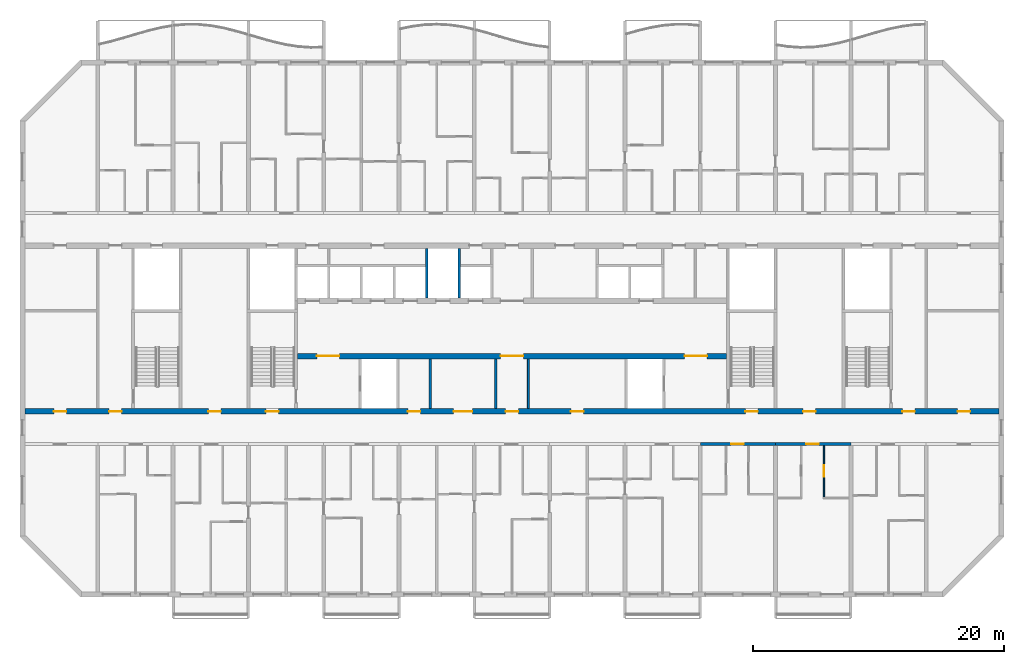
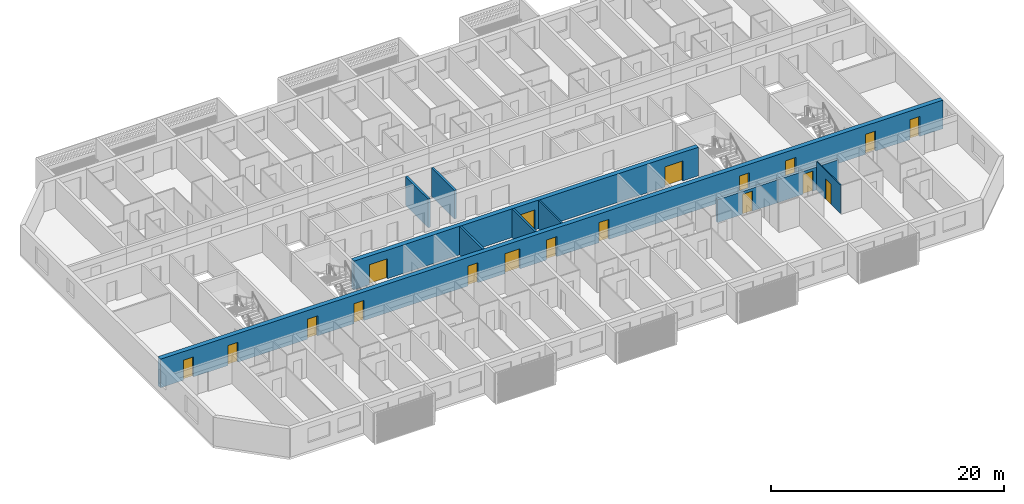
# One storey, part 6 of 32: 18 doors, 10 walls, 18 openings.
"""IFC4 building model written with IfcOpenShell, lengths in metres."""

import ifcopenshell
import ifcopenshell.guid

model = None  # the IFC model being written
_history = None  # IfcOwnerHistory: only IFC2X3 demands one
_inside = {}  # id of a spatial element -> (the spatial element, [elements in it])
_under = {}  # id of a project, library or spatial element -> (it, [spatial elements below it])
_declared = {}  # id of a project -> (the project, [libraries it declares])
_typed = {}  # id of a type object -> (the type object, [elements of that type])
_made_of = {}  # id of a material, layer set ... -> (it, [elements and type objects made of it])


def new_model(schema):
    """Start an empty IFC model of exactly this schema.

    Asked for "IFC4X3", IfcOpenShell would pick the latest addendum, in which some entities
    have other attributes; the version numbers below select the first issue.
    IFC2X3 requires an IfcOwnerHistory on every rooted entity: one is made here for all.
    """
    global model, _history
    if schema == "IFC4X3":
        model = ifcopenshell.file(schema_version=(4, 3, 0, 0))
    else:
        model = ifcopenshell.file(schema=schema)
    _inside.clear()
    _under.clear()
    _declared.clear()
    _typed.clear()
    _made_of.clear()
    _history = None
    if model.schema == "IFC2X3":
        org = make("IfcOrganization", Name="unknown")
        user = make(
            "IfcPersonAndOrganization",
            ThePerson=make("IfcPerson", FamilyName="unknown"),
            TheOrganization=org,
        )
        app = make(
            "IfcApplication",
            ApplicationDeveloper=org,
            Version="unknown",
            ApplicationFullName="unknown",
            ApplicationIdentifier="unknown",
        )
        _history = make(
            "IfcOwnerHistory",
            OwningUser=user,
            OwningApplication=app,
            ChangeAction="ADDED",
            CreationDate=0,
        )
    return model


def make(cls, **values):
    """One entity of the class cls with the attributes given. An attribute that is None is left unset."""
    return model.create_entity(
        cls, **{name: value for name, value in values.items() if value is not None}
    )


def rooted(cls, **values):
    """An entity with a GlobalId (a new one), such as an element, a storey or a relation."""
    return make(cls, GlobalId=ifcopenshell.guid.new(), OwnerHistory=_history, **values)


def si_unit(unit_type, name, prefix=None):
    """IfcSIUnit, for example si_unit("LENGTHUNIT", "METRE", prefix="MILLI")."""
    return make("IfcSIUnit", UnitType=unit_type, Prefix=prefix, Name=name)


def assignment(units):
    """IfcUnitAssignment: the units of a project."""
    return None if units is None else make("IfcUnitAssignment", Units=units)


def point(xyz):
    """IfcCartesianPoint."""
    return None if xyz is None else make("IfcCartesianPoint", Coordinates=xyz)


def direction(xyz):
    """IfcDirection."""
    return None if xyz is None else make("IfcDirection", DirectionRatios=xyz)


def frame(location, z_axis=None, x_axis=None):
    """IfcAxis2Placement3D, a coordinate frame: its origin and axes. An axis left out is left unset."""
    return make(
        "IfcAxis2Placement3D",
        Location=point(location),
        Axis=direction(z_axis),
        RefDirection=direction(x_axis),
    )


def frame_2d(location, x_axis=None):
    """IfcAxis2Placement2D, a coordinate frame in the plane: its origin and x axis."""
    return make(
        "IfcAxis2Placement2D", Location=point(location), RefDirection=direction(x_axis)
    )


def origin():
    """The frame at (0, 0, 0) with its axes left unset."""
    return frame((0.0, 0.0, 0.0))


def place(relative_to, where):
    """IfcLocalPlacement: puts the frame where relative to a parent placement (None: the world)."""
    return make(
        "IfcLocalPlacement", PlacementRelTo=relative_to, RelativePlacement=where
    )


def context(
    kind, dimensions, precision=None, world=None, true_north=None, identifier=None
):
    """IfcGeometricRepresentationContext, for example the 3D "Model" context."""
    return make(
        "IfcGeometricRepresentationContext",
        ContextIdentifier=identifier,
        ContextType=kind,
        CoordinateSpaceDimension=dimensions,
        Precision=precision,
        WorldCoordinateSystem=world,
        TrueNorth=true_north,
    )


def subcontext(parent, identifier, kind, view, scale=None):
    """IfcGeometricRepresentationSubContext, for example "Body" below "Model"."""
    return make(
        "IfcGeometricRepresentationSubContext",
        ContextIdentifier=identifier,
        ContextType=kind,
        ParentContext=parent,
        TargetScale=scale,
        TargetView=view,
    )


def project(units=None, contexts=None):
    """IfcProject with its units and contexts."""
    return rooted(
        "IfcProject",
        Name="project",
        RepresentationContexts=contexts,
        UnitsInContext=assignment(units),
    )


def spatial(cls, under=None, at=None, **own):
    """A site, building, storey or space (cls), placed at a placement, below another one or the project."""
    s = rooted(cls, ObjectPlacement=at, **own)
    if under is not None:
        _under.setdefault(under.id(), (under, []))[1].append(s)
    return s


def profile(cls, at=None, kind="AREA", **sizes):
    """A parametric profile (cls). Its sizes go by their IFC names, for example OverallWidth=200.0."""
    return make(cls, ProfileType=kind, Position=at, **sizes)


def rectangle(**sizes):
    """IfcRectangleProfileDef."""
    return profile("IfcRectangleProfileDef", **sizes)


def extrude(swept, where, along, depth):
    """IfcExtrudedAreaSolid: the profile swept, set in the frame where, extruded along a direction by depth."""
    return make(
        "IfcExtrudedAreaSolid",
        SweptArea=swept,
        Position=where,
        ExtrudedDirection=direction(along),
        Depth=depth,
    )


def shape(context_of_items, identifier, shape_type, items):
    """IfcShapeRepresentation: the items that make up one representation, for example the "Body"."""
    return make(
        "IfcShapeRepresentation",
        ContextOfItems=context_of_items,
        RepresentationIdentifier=identifier,
        RepresentationType=shape_type,
        Items=items,
    )


def material(Name=None, Category=None):
    """IfcMaterial."""
    return make("IfcMaterial", Name=Name, Category=Category)


def layer(
    of_material, thickness, ventilated=None, Name=None, Category=None, Priority=None
):
    """IfcMaterialLayer: one layer of a wall or slab, of a material (None: an air gap)."""
    return make(
        "IfcMaterialLayer",
        Material=of_material,
        LayerThickness=thickness,
        IsVentilated=ventilated,
        Name=Name,
        Category=Category,
        Priority=Priority,
    )


def layer_set(layers, Name=None):
    """IfcMaterialLayerSet."""
    return make("IfcMaterialLayerSet", MaterialLayers=layers, LayerSetName=Name)


def made_of(thing, what):
    """Note that an element or type object is made of a material, layer set ...; save() writes the relation."""
    if what is not None:
        _made_of.setdefault(what.id(), (what, []))[1].append(thing)
    return thing


def type_object(cls, material=None, **own):
    """A type object (cls), such as IfcWallType, which elements share."""
    return made_of(rooted(cls, **own), material)


def element(
    cls,
    number,
    at=None,
    inside=None,
    cuts=None,
    type_object=None,
    material=None,
    context=None,
    identifier="Body",
    shape_type=None,
    held_by="IfcProductDefinitionShape",
    body=None,
    shapes=None,
    **own,
):
    """One element of the class cls, such as IfcWall. Its Tag is "e" and its number.

    at: its placement. inside: the storey or other place that contains it. cuts: it is an
    opening in that element (IfcRelVoidsElement). A single representation is given by context,
    identifier, shape_type and body (its items); several are given by shapes. held_by: the class
    of the entity that holds the representations. save() writes the other relations.
    """
    e = rooted(cls, Tag="e%d" % number, ObjectPlacement=at, **own)
    if body is not None:
        shapes = [shape(context, identifier, shape_type, body)]
    if shapes is not None:
        e.Representation = make(held_by, Representations=shapes)
    if inside is not None:
        _inside.setdefault(inside.id(), (inside, []))[1].append(e)
    if cuts is not None:
        rooted(
            "IfcRelVoidsElement", RelatingBuildingElement=cuts, RelatedOpeningElement=e
        )
    if type_object is not None:
        _typed.setdefault(type_object.id(), (type_object, []))[1].append(e)
    return made_of(e, material)


def fill(opening, filler):
    """IfcRelFillsElement: the door or window that sits in an opening."""
    return rooted(
        "IfcRelFillsElement",
        RelatingOpeningElement=opening,
        RelatedBuildingElement=filler,
    )


def aggregate(whole, parts):
    """IfcRelAggregates: a whole, such as a stair, and the parts it consists of."""
    return rooted("IfcRelAggregates", RelatingObject=whole, RelatedObjects=parts)


def save(model, path):
    """Write the relations noted so far, then the file.

    IfcRelAggregates (storeys below a building ...), IfcRelContainedInSpatialStructure (elements
    in a storey), IfcRelDefinesByType, IfcRelAssociatesMaterial and IfcRelDeclares: one each for
    every whole, place, type object, material and project.
    """
    for whole, parts in _under.values():
        aggregate(whole, parts)
    for where, things in _inside.values():
        rooted(
            "IfcRelContainedInSpatialStructure",
            RelatedElements=things,
            RelatingStructure=where,
        )
    for kind, things in _typed.values():
        rooted("IfcRelDefinesByType", RelatedObjects=things, RelatingType=kind)
    for what, things in _made_of.values():
        rooted("IfcRelAssociatesMaterial", RelatedObjects=things, RelatingMaterial=what)
    for by, libraries in _declared.values():
        rooted("IfcRelDeclares", RelatingContext=by, RelatedDefinitions=libraries)
    model.write(path)


model = new_model("IFC4")

# Units and contexts
model_context = context("Model", 3, precision=1e-05, world=origin(), true_north=direction((0.0, 1.0)))
body_context = subcontext(model_context, "Body", "Model", "MODEL_VIEW")
ifc_project = project(units=[si_unit("LENGTHUNIT", "METRE"), si_unit("AREAUNIT", "SQUARE_METRE"), si_unit("VOLUMEUNIT", "CUBIC_METRE"), si_unit("PLANEANGLEUNIT", "RADIAN"), si_unit("MASSUNIT", "GRAM", prefix="KILO")], contexts=[model_context])

# Site, building, storey
site_placement = place(None, origin())
site = spatial("IfcSite", under=ifc_project, at=site_placement, CompositionType="ELEMENT")
building_placement = place(site_placement, origin())
building = spatial("IfcBuilding", under=site, at=building_placement, Name="Poui Terraces", CompositionType="ELEMENT")
storey_placement = place(building_placement, frame((0.0, 0.0, 155.39990234375)))
storey = spatial("IfcBuildingStorey", under=building, at=storey_placement, Name="L43", CompositionType="ELEMENT", Elevation=155.39990234375)

# Wall, openings, doors
ifc_material_1 = material(Name="Concrete 65 MPa", Category="concrete")
ifc_layer_1 = layer(ifc_material_1, 0.449951171875)
ifc_layer_set_1 = layer_set([ifc_layer_1], Name="Concrete 65 MPa")
wall_type_1 = type_object("IfcWallType", Name="CORE WALL 450 65 MPA", PredefinedType="SOLIDWALL", material=ifc_layer_set_1)
wall_1_placement = place(storey_placement, frame((33.925048828125, 19.0, 0.0), z_axis=(0.0, 0.0, 1.0), x_axis=(1.0, 0.0, 0.0)))
wall_1 = element("IfcWall", 1, at=wall_1_placement, inside=storey, type_object=wall_type_1, Name="CORE WALL", PredefinedType="SOLIDWALL", context=body_context, shape_type="SweptSolid", body=[
    extrude(rectangle(XDim=34.14990234375, YDim=0.449951171875, at=frame_2d((17.074951171875, 0.0))), origin(), (0.0, 0.0, 1.0), 3.0),
])
opening_1_placement = place(wall_1_placement, frame((16.175048828125, 0.0, 0.0)))
opening_1 = element("IfcOpeningElement", 2, at=opening_1_placement, cuts=wall_1, Name="Opening FDD60", PredefinedType="OPENING", context=body_context, shape_type="SweptSolid", body=[
    extrude(rectangle(XDim=1.800048828125, YDim=2.10009765625, at=frame_2d((0.89990234375, 1.050048828125))), frame((0.0, 0.23486328125, 0.0), z_axis=(0.0, -1.0, 0.0), x_axis=(1.0, 0.0, 0.0)), (0.0, 0.0, 1.0), 0.469970703125),
])
opening_2_placement = place(wall_1_placement, frame((1.52490234375, 0.0, 0.0)))
opening_2 = element("IfcOpeningElement", 3, at=opening_2_placement, cuts=wall_1, Name="Opening FDD60", PredefinedType="OPENING", context=body_context, shape_type="SweptSolid", body=[
    extrude(rectangle(XDim=1.800048828125, YDim=2.10009765625, at=frame_2d((0.89990234375, 1.050048828125))), frame((0.0, 0.23486328125, 0.0), z_axis=(0.0, -1.0, 0.0), x_axis=(1.0, 0.0, 0.0)), (0.0, 0.0, 1.0), 0.469970703125),
])
opening_3_placement = place(wall_1_placement, frame((30.824951171875, 0.0, 0.0)))
opening_3 = element("IfcOpeningElement", 4, at=opening_3_placement, cuts=wall_1, Name="Opening FDD60", PredefinedType="OPENING", context=body_context, shape_type="SweptSolid", body=[
    extrude(rectangle(XDim=1.800048828125, YDim=2.10009765625, at=frame_2d((0.89990234375, 1.050048828125))), frame((0.0, 0.23486328125, 0.0), z_axis=(0.0, -1.0, 0.0), x_axis=(1.0, 0.0, 0.0)), (0.0, 0.0, 1.0), 0.469970703125),
])
ifc_material_2 = material(Name="Steel fire door", Category="steel")
door_type_1 = type_object("IfcDoorType", Name="DOUBLE LOBBY FIRE DOOR 1800 X 2100", OperationType="DOUBLE_DOOR_SINGLE_SWING", PredefinedType="DOOR", material=ifc_material_2)
door_1_placement = place(opening_1_placement, frame((1.800048828125, 0.0, 0.0), z_axis=(0.0, 0.0, 1.0), x_axis=(-1.0, 0.0, 0.0)))
door_1 = element("IfcDoor", 5, at=door_1_placement, inside=storey, type_object=door_type_1, Name="DOUBLE LOBBY FIRE DOOR 124", OperationType="DOUBLE_DOOR_SINGLE_SWING", OverallHeight=2.10009765625, OverallWidth=1.800048828125, PredefinedType="DOOR", context=body_context, shape_type="SweptSolid", body=[
    extrude(rectangle(XDim=1.800048828125, YDim=2.10009765625, at=frame_2d((0.89990234375, 1.050048828125))), frame((0.0, 0.02490234375, 0.0), z_axis=(0.0, -1.0, 0.0), x_axis=(1.0, 0.0, 0.0)), (0.0, 0.0, 1.0), 0.050048828125),
])
fill(opening_1, door_1)
door_2_placement = place(opening_2_placement, origin())
door_2 = element("IfcDoor", 6, at=door_2_placement, inside=storey, type_object=door_type_1, Name="DOUBLE LOBBY FIRE DOOR 126", OperationType="DOUBLE_DOOR_SINGLE_SWING", OverallHeight=2.10009765625, OverallWidth=1.800048828125, PredefinedType="DOOR", context=body_context, shape_type="SweptSolid", body=[
    extrude(rectangle(XDim=1.800048828125, YDim=2.10009765625, at=frame_2d((0.89990234375, 1.050048828125))), frame((0.0, 0.02490234375, 0.0), z_axis=(0.0, -1.0, 0.0), x_axis=(1.0, 0.0, 0.0)), (0.0, 0.0, 1.0), 0.050048828125),
])
fill(opening_2, door_2)
door_3_placement = place(opening_3_placement, origin())
door_3 = element("IfcDoor", 7, at=door_3_placement, inside=storey, type_object=door_type_1, Name="DOUBLE LOBBY FIRE DOOR 133", OperationType="DOUBLE_DOOR_SINGLE_SWING", OverallHeight=2.10009765625, OverallWidth=1.800048828125, PredefinedType="DOOR", context=body_context, shape_type="SweptSolid", body=[
    extrude(rectangle(XDim=1.800048828125, YDim=2.10009765625, at=frame_2d((0.89990234375, 1.050048828125))), frame((0.0, 0.02490234375, 0.0), z_axis=(0.0, -1.0, 0.0), x_axis=(1.0, 0.0, 0.0)), (0.0, 0.0, 1.0), 0.050048828125),
])
fill(opening_3, door_3)

# Wall
ifc_material_3 = material(Name="Fire-rated plasterboard wall")
ifc_layer_2 = layer(ifc_material_3, 0.14990234375)
ifc_layer_set_2 = layer_set([ifc_layer_2], Name="Fire-rated plasterboard wall")
wall_type_2 = type_object("IfcWallType", Name="CORRIDOR WALL 150", PredefinedType="PARTITIONING", material=ifc_layer_set_2)
wall_2_placement = place(storey_placement, frame((52.300048828125, 14.8349609375, 0.0), z_axis=(0.0, 0.0, 1.0), x_axis=(0.0, 1.0, 0.0)))
element("IfcWall", 8, at=wall_2_placement, inside=storey, type_object=wall_type_2, Name="CORRIDOR WALL 150", PredefinedType="PARTITIONING", context=body_context, shape_type="SweptSolid", body=[
    extrude(rectangle(XDim=3.929931640625, YDim=0.14990234375, at=frame_2d((1.96484375, 0.0))), origin(), (0.0, 0.0, 1.0), 3.0),
])

# Wall, opening, door
ifc_layer_3 = layer(ifc_material_1, 0.25)
ifc_layer_set_3 = layer_set([ifc_layer_3], Name="Concrete 65 MPa")
wall_type_3 = type_object("IfcWallType", Name="CORRIDOR WALL 250 65MPa", PredefinedType="SHEAR", material=ifc_layer_set_3)
wall_3_placement = place(storey_placement, frame((66.0, 12.0, 0.0), z_axis=(0.0, 0.0, 1.0), x_axis=(1.0, 0.0, 0.0)))
wall_3 = element("IfcWall", 9, at=wall_3_placement, inside=storey, type_object=wall_type_3, Name="CORRIDOR WALL LINE B BAY 10", PredefinedType="SHEAR", context=body_context, shape_type="SweptSolid", body=[
    extrude(rectangle(XDim=6.0, YDim=0.25, at=frame_2d((3.0, 0.0))), origin(), (0.0, 0.0, 1.0), 2.400146484375),
])
opening_4_placement = place(wall_3_placement, frame((2.449951171875, 0.0, 0.0)))
opening_4 = element("IfcOpeningElement", 10, at=opening_4_placement, cuts=wall_3, Name="Opening FD30S", PredefinedType="OPENING", context=body_context, shape_type="SweptSolid", body=[
    extrude(rectangle(XDim=1.0, YDim=2.10009765625, at=frame_2d((0.5, 1.050048828125))), frame((0.0, 0.135009765625, 0.0), z_axis=(0.0, -1.0, 0.0), x_axis=(1.0, 0.0, 0.0)), (0.0, 0.0, 1.0), 0.27001953125),
])
door_type_2 = type_object("IfcDoorType", Name="FLAT ENTRANCE DOOR 1000 X 2100", OperationType="NOTDEFINED", PredefinedType="DOOR", material=ifc_material_2)
door_4_placement = place(opening_4_placement, frame((1.0, 0.0, 0.0), z_axis=(0.0, 0.0, 1.0), x_axis=(-1.0, 0.0, 0.0)))
door_4 = element("IfcDoor", 11, at=door_4_placement, inside=storey, type_object=door_type_2, Name="FLAT ENTRANCE DOOR 109", OperationType="SINGLE_SWING_RIGHT", OverallHeight=2.10009765625, OverallWidth=1.0, PredefinedType="DOOR", context=body_context, shape_type="SweptSolid", body=[
    extrude(rectangle(XDim=1.0, YDim=2.10009765625, at=frame_2d((0.5, 1.050048828125))), frame((0.0, 0.02490234375, 0.0), z_axis=(0.0, -1.0, 0.0), x_axis=(1.0, 0.0, 0.0)), (0.0, 0.0, 1.0), 0.050048828125),
])
fill(opening_4, door_4)

wall_4_placement = place(storey_placement, frame((72.0, 12.0, 0.0), z_axis=(0.0, 0.0, 1.0), x_axis=(1.0, 0.0, 0.0)))
wall_4 = element("IfcWall", 12, at=wall_4_placement, inside=storey, type_object=wall_type_3, Name="CORRIDOR WALL LINE B BAY 11", PredefinedType="SHEAR", context=body_context, shape_type="SweptSolid", body=[
    extrude(rectangle(XDim=6.0, YDim=0.25, at=frame_2d((3.0, 0.0))), origin(), (0.0, 0.0, 1.0), 2.400146484375),
])
opening_5_placement = place(wall_4_placement, frame((2.449951171875, 0.0, 0.0)))
opening_5 = element("IfcOpeningElement", 13, at=opening_5_placement, cuts=wall_4, Name="Opening FD30S", PredefinedType="OPENING", context=body_context, shape_type="SweptSolid", body=[
    extrude(rectangle(XDim=1.0, YDim=2.10009765625, at=frame_2d((0.5, 1.050048828125))), frame((0.0, 0.135009765625, 0.0), z_axis=(0.0, -1.0, 0.0), x_axis=(1.0, 0.0, 0.0)), (0.0, 0.0, 1.0), 0.27001953125),
])
door_5_placement = place(opening_5_placement, frame((1.0, 0.0, 0.0), z_axis=(0.0, 0.0, 1.0), x_axis=(-1.0, 0.0, 0.0)))
door_5 = element("IfcDoor", 14, at=door_5_placement, inside=storey, type_object=door_type_2, Name="FLAT ENTRANCE DOOR 112", OperationType="SINGLE_SWING_RIGHT", OverallHeight=2.10009765625, OverallWidth=1.0, PredefinedType="DOOR", context=body_context, shape_type="SweptSolid", body=[
    extrude(rectangle(XDim=1.0, YDim=2.10009765625, at=frame_2d((0.5, 1.050048828125))), frame((0.0, 0.02490234375, 0.0), z_axis=(0.0, -1.0, 0.0), x_axis=(1.0, 0.0, 0.0)), (0.0, 0.0, 1.0), 0.050048828125),
])
fill(opening_5, door_5)

ifc_material_4 = material(Name="Plasterboard partition")
ifc_layer_4 = layer(ifc_material_4, 0.10009765625)
ifc_layer_set_4 = layer_set([ifc_layer_4], Name="Plasterboard partition")
wall_type_4 = type_object("IfcWallType", Name="FLAT PARTITION 100", PredefinedType="PARTITIONING", material=ifc_layer_set_4)
wall_5_placement = place(storey_placement, frame((75.85009765625, 7.75, 0.0), z_axis=(0.0, 0.0, 1.0), x_axis=(0.0, 1.0, 0.0)))
wall_5 = element("IfcWall", 15, at=wall_5_placement, inside=storey, type_object=wall_type_4, Name="FLAT PARTITION 100", PredefinedType="PARTITIONING", context=body_context, shape_type="SweptSolid", body=[
    extrude(rectangle(XDim=4.114990234375, YDim=0.10009765625, at=frame_2d((2.0576171875, 0.0))), origin(), (0.0, 0.0, 1.0), 3.0),
])
opening_6_placement = place(wall_5_placement, frame((1.64990234375, 0.0, 0.0)))
opening_6 = element("IfcOpeningElement", 16, at=opening_6_placement, cuts=wall_5, Name="Opening D90", PredefinedType="OPENING", context=body_context, shape_type="SweptSolid", body=[
    extrude(rectangle(XDim=0.89990234375, YDim=2.10009765625, at=frame_2d((0.449951171875, 1.050048828125))), frame((0.0, 0.06005859375, 0.0), z_axis=(0.0, -1.0, 0.0), x_axis=(1.0, 0.0, 0.0)), (0.0, 0.0, 1.0), 0.1201171875),
])
ifc_material_5 = material(Name="Solid core timber door", Category="wood")
door_type_3 = type_object("IfcDoorType", Name="INTERNAL DOOR 900 X 2100", OperationType="NOTDEFINED", PredefinedType="DOOR", material=ifc_material_5)
door_6_placement = place(opening_6_placement, frame((0.89990234375, 0.0, 0.0), z_axis=(0.0, 0.0, 1.0), x_axis=(-1.0, 0.0, 0.0)))
door_6 = element("IfcDoor", 17, at=door_6_placement, inside=storey, type_object=door_type_3, Name="INTERNAL DOOR 113", OperationType="SINGLE_SWING_LEFT", OverallHeight=2.10009765625, OverallWidth=0.89990234375, PredefinedType="DOOR", context=body_context, shape_type="SweptSolid", body=[
    extrude(rectangle(XDim=0.89990234375, YDim=2.10009765625, at=frame_2d((0.449951171875, 1.050048828125))), frame((0.0, 0.02490234375, 0.0), z_axis=(0.0, -1.0, 0.0), x_axis=(1.0, 0.0, 0.0)), (0.0, 0.0, 1.0), 0.050048828125),
])
fill(opening_6, door_6)

# Walls
ifc_material_6 = material(Name="Fire-rated masonry wall", Category="masonry")
ifc_layer_5 = layer(ifc_material_6, 0.199951171875)
ifc_layer_set_5 = layer_set([ifc_layer_5], Name="Fire-rated masonry wall")
wall_type_5 = type_object("IfcWallType", Name="PLANT ROOM WALL 200", PredefinedType="PARTITIONING", material=ifc_layer_set_5)
for number, where, z_axis, x_axis, name in (
    (18, (44.5, 14.8349609375, 0.0), (0.0, 0.0, 1.0), (0.0, 1.0, 0.0), "PLANT ROOM WALL 200"),
    (19, (49.699951171875, 14.8349609375, 0.0), (0.0, 0.0, 1.0), (0.0, 1.0, 0.0), "PLANT ROOM WALL 200"),
):
    element("IfcWall", number, at=place(storey_placement, frame(where, z_axis=z_axis, x_axis=x_axis)), inside=storey, type_object=wall_type_5, Name=name, PredefinedType="PARTITIONING", context=body_context, shape_type="SweptSolid", body=[
        extrude(rectangle(XDim=3.929931640625, YDim=0.199951171875, at=frame_2d((1.96484375, 0.0))), origin(), (0.0, 0.0, 1.0), 3.0),
    ])
ifc_material_7 = material(Name="Fire-rated masonry shaft wall", Category="masonry")
ifc_layer_6 = layer(ifc_material_7, 0.199951171875)
ifc_layer_set_6 = layer_set([ifc_layer_6], Name="Fire-rated masonry shaft wall")
wall_type_6 = type_object("IfcWallType", Name="SHAFT WALL 200", PredefinedType="PARTITIONING", material=ifc_layer_set_6)
for number, where, z_axis, x_axis, name in (
    (20, (44.199951171875, 23.635009765625, 0.0), (0.0, 0.0, 1.0), (0.0, 1.0, 0.0), "SHAFT WALL 200"),
    (21, (46.800048828125, 23.635009765625, 0.0), (0.0, 0.0, 1.0), (0.0, 1.0, 0.0), "SHAFT WALL 200"),
):
    element("IfcWall", number, at=place(storey_placement, frame(where, z_axis=z_axis, x_axis=x_axis)), inside=storey, type_object=wall_type_6, Name=name, PredefinedType="PARTITIONING", context=body_context, shape_type="SweptSolid", body=[
        extrude(rectangle(XDim=3.929931640625, YDim=0.199951171875, at=frame_2d((1.96484375, 0.0))), origin(), (0.0, 0.0, 1.0), 3.0),
    ])

# Wall, openings, doors
ifc_layer_7 = layer(ifc_material_1, 0.449951171875)
ifc_layer_set_7 = layer_set([ifc_layer_7], Name="Concrete 65 MPa")
wall_type_7 = type_object("IfcWallType", Name="SPINE WALL 450 65 MPA", PredefinedType="SOLIDWALL", material=ifc_layer_set_7)
wall_6_placement = place(storey_placement, frame((12.199951171875, 14.60009765625, 0.0), z_axis=(0.0, 0.0, 1.0), x_axis=(1.0, 0.0, 0.0)))
wall_6 = element("IfcWall", 22, at=wall_6_placement, inside=storey, type_object=wall_type_7, Name="SPINE WALL", PredefinedType="SOLIDWALL", context=body_context, shape_type="SweptSolid", body=[
    extrude(rectangle(XDim=77.60009765625, YDim=0.449951171875, at=frame_2d((38.800048828125, 0.0))), origin(), (0.0, 0.0, 1.0), 3.0),
])
opening_7_placement = place(wall_6_placement, frame((2.300048828125, 0.0, 0.0)))
opening_7 = element("IfcOpeningElement", 23, at=opening_7_placement, cuts=wall_6, Name="Opening FD60", PredefinedType="OPENING", context=body_context, shape_type="SweptSolid", body=[
    extrude(rectangle(XDim=1.0, YDim=2.10009765625, at=frame_2d((0.5, 1.050048828125))), frame((0.0, 0.23486328125, 0.0), z_axis=(0.0, -1.0, 0.0), x_axis=(1.0, 0.0, 0.0)), (0.0, 0.0, 1.0), 0.469970703125),
])
opening_8_placement = place(wall_6_placement, frame((6.699951171875, 0.0, 0.0)))
opening_8 = element("IfcOpeningElement", 24, at=opening_8_placement, cuts=wall_6, Name="Opening FDL", PredefinedType="OPENING", context=body_context, shape_type="SweptSolid", body=[
    extrude(rectangle(XDim=1.0, YDim=2.10009765625, at=frame_2d((0.5, 1.050048828125))), frame((0.0, 0.23486328125, 0.0), z_axis=(0.0, -1.0, 0.0), x_axis=(1.0, 0.0, 0.0)), (0.0, 0.0, 1.0), 0.469970703125),
])
opening_9_placement = place(wall_6_placement, frame((14.60009765625, 0.0, 0.0)))
opening_9 = element("IfcOpeningElement", 25, at=opening_9_placement, cuts=wall_6, Name="Opening D100", PredefinedType="OPENING", context=body_context, shape_type="SweptSolid", body=[
    extrude(rectangle(XDim=1.0, YDim=2.10009765625, at=frame_2d((0.5, 1.050048828125))), frame((0.0, 0.23486328125, 0.0), z_axis=(0.0, -1.0, 0.0), x_axis=(1.0, 0.0, 0.0)), (0.0, 0.0, 1.0), 0.469970703125),
])
opening_10_placement = place(wall_6_placement, frame((19.199951171875, 0.0, 0.0)))
opening_10 = element("IfcOpeningElement", 26, at=opening_10_placement, cuts=wall_6, Name="Opening FD60S", PredefinedType="OPENING", context=body_context, shape_type="SweptSolid", body=[
    extrude(rectangle(XDim=1.0, YDim=2.10009765625, at=frame_2d((0.5, 1.050048828125))), frame((0.0, 0.23486328125, 0.0), z_axis=(0.0, -1.0, 0.0), x_axis=(1.0, 0.0, 0.0)), (0.0, 0.0, 1.0), 0.469970703125),
])
opening_11_placement = place(wall_6_placement, frame((30.5, 0.0, 0.0)))
opening_11 = element("IfcOpeningElement", 27, at=opening_11_placement, cuts=wall_6, Name="Opening FD60", PredefinedType="OPENING", context=body_context, shape_type="SweptSolid", body=[
    extrude(rectangle(XDim=1.0, YDim=2.10009765625, at=frame_2d((0.5, 1.050048828125))), frame((0.0, 0.23486328125, 0.0), z_axis=(0.0, -1.0, 0.0), x_axis=(1.0, 0.0, 0.0)), (0.0, 0.0, 1.0), 0.469970703125),
])
opening_12_placement = place(wall_6_placement, frame((34.14990234375, 0.0, 0.0)))
opening_12 = element("IfcOpeningElement", 28, at=opening_12_placement, cuts=wall_6, Name="Opening FDP", PredefinedType="OPENING", context=body_context, shape_type="SweptSolid", body=[
    extrude(rectangle(XDim=1.5, YDim=2.10009765625, at=frame_2d((0.75, 1.050048828125))), frame((0.0, 0.23486328125, 0.0), z_axis=(0.0, -1.0, 0.0), x_axis=(1.0, 0.0, 0.0)), (0.0, 0.0, 1.0), 0.469970703125),
])
opening_13_placement = place(wall_6_placement, frame((38.300048828125, 0.0, 0.0)))
opening_13 = element("IfcOpeningElement", 29, at=opening_13_placement, cuts=wall_6, Name="Opening FDL", PredefinedType="OPENING", context=body_context, shape_type="SweptSolid", body=[
    extrude(rectangle(XDim=1.0, YDim=2.10009765625, at=frame_2d((0.5, 1.050048828125))), frame((0.0, 0.23486328125, 0.0), z_axis=(0.0, -1.0, 0.0), x_axis=(1.0, 0.0, 0.0)), (0.0, 0.0, 1.0), 0.469970703125),
])
opening_14_placement = place(wall_6_placement, frame((43.5, 0.0, 0.0)))
opening_14 = element("IfcOpeningElement", 30, at=opening_14_placement, cuts=wall_6, Name="Opening FD60", PredefinedType="OPENING", context=body_context, shape_type="SweptSolid", body=[
    extrude(rectangle(XDim=1.0, YDim=2.10009765625, at=frame_2d((0.5, 1.050048828125))), frame((0.0, 0.23486328125, 0.0), z_axis=(0.0, -1.0, 0.0), x_axis=(1.0, 0.0, 0.0)), (0.0, 0.0, 1.0), 0.469970703125),
])
opening_15_placement = place(wall_6_placement, frame((57.39990234375, 0.0, 0.0)))
opening_15 = element("IfcOpeningElement", 31, at=opening_15_placement, cuts=wall_6, Name="Opening FD60S", PredefinedType="OPENING", context=body_context, shape_type="SweptSolid", body=[
    extrude(rectangle(XDim=1.0, YDim=2.10009765625, at=frame_2d((0.5, 1.050048828125))), frame((0.0, 0.23486328125, 0.0), z_axis=(0.0, -1.0, 0.0), x_axis=(1.0, 0.0, 0.0)), (0.0, 0.0, 1.0), 0.469970703125),
])
opening_16_placement = place(wall_6_placement, frame((62.0, 0.0, 0.0)))
opening_16 = element("IfcOpeningElement", 32, at=opening_16_placement, cuts=wall_6, Name="Opening D100", PredefinedType="OPENING", context=body_context, shape_type="SweptSolid", body=[
    extrude(rectangle(XDim=1.0, YDim=2.10009765625, at=frame_2d((0.5, 1.050048828125))), frame((0.0, 0.23486328125, 0.0), z_axis=(0.0, -1.0, 0.0), x_axis=(1.0, 0.0, 0.0)), (0.0, 0.0, 1.0), 0.469970703125),
])
opening_17_placement = place(wall_6_placement, frame((69.89990234375, 0.0, 0.0)))
opening_17 = element("IfcOpeningElement", 33, at=opening_17_placement, cuts=wall_6, Name="Opening FDL", PredefinedType="OPENING", context=body_context, shape_type="SweptSolid", body=[
    extrude(rectangle(XDim=1.0, YDim=2.10009765625, at=frame_2d((0.5, 1.050048828125))), frame((0.0, 0.23486328125, 0.0), z_axis=(0.0, -1.0, 0.0), x_axis=(1.0, 0.0, 0.0)), (0.0, 0.0, 1.0), 0.469970703125),
])
opening_18_placement = place(wall_6_placement, frame((74.300048828125, 0.0, 0.0)))
opening_18 = element("IfcOpeningElement", 34, at=opening_18_placement, cuts=wall_6, Name="Opening FD60", PredefinedType="OPENING", context=body_context, shape_type="SweptSolid", body=[
    extrude(rectangle(XDim=1.0, YDim=2.10009765625, at=frame_2d((0.5, 1.050048828125))), frame((0.0, 0.23486328125, 0.0), z_axis=(0.0, -1.0, 0.0), x_axis=(1.0, 0.0, 0.0)), (0.0, 0.0, 1.0), 0.469970703125),
])
door_type_4 = type_object("IfcDoorType", Name="ACCESSIBLE INTERNAL DOOR 1000 X 2100", OperationType="NOTDEFINED", PredefinedType="DOOR", material=ifc_material_5)
door_7_placement = place(opening_9_placement, frame((1.0, 0.0, 0.0), z_axis=(0.0, 0.0, 1.0), x_axis=(-1.0, 0.0, 0.0)))
door_7 = element("IfcDoor", 35, at=door_7_placement, inside=storey, type_object=door_type_4, Name="ACCESSIBLE INTERNAL DOOR 019", OperationType="SINGLE_SWING_LEFT", OverallHeight=2.10009765625, OverallWidth=1.0, PredefinedType="DOOR", context=body_context, shape_type="SweptSolid", body=[
    extrude(rectangle(XDim=1.0, YDim=2.10009765625, at=frame_2d((0.5, 1.050048828125))), frame((0.0, 0.02490234375, 0.0), z_axis=(0.0, -1.0, 0.0), x_axis=(1.0, 0.0, 0.0)), (0.0, 0.0, 1.0), 0.050048828125),
])
fill(opening_9, door_7)
door_8_placement = place(opening_16_placement, frame((1.0, 0.0, 0.0), z_axis=(0.0, 0.0, 1.0), x_axis=(-1.0, 0.0, 0.0)))
door_8 = element("IfcDoor", 36, at=door_8_placement, inside=storey, type_object=door_type_4, Name="ACCESSIBLE INTERNAL DOOR 026", OperationType="SINGLE_SWING_RIGHT", OverallHeight=2.10009765625, OverallWidth=1.0, PredefinedType="DOOR", context=body_context, shape_type="SweptSolid", body=[
    extrude(rectangle(XDim=1.0, YDim=2.10009765625, at=frame_2d((0.5, 1.050048828125))), frame((0.0, 0.02490234375, 0.0), z_axis=(0.0, -1.0, 0.0), x_axis=(1.0, 0.0, 0.0)), (0.0, 0.0, 1.0), 0.050048828125),
])
fill(opening_16, door_8)
door_type_5 = type_object("IfcDoorType", Name="LOBBY FIRE DOOR 1000 X 2100", OperationType="NOTDEFINED", PredefinedType="DOOR", material=ifc_material_2)
door_9_placement = place(opening_8_placement, frame((1.0, 0.0, 0.0), z_axis=(0.0, 0.0, 1.0), x_axis=(-1.0, 0.0, 0.0)))
door_9 = element("IfcDoor", 37, at=door_9_placement, inside=storey, type_object=door_type_5, Name="LOBBY FIRE DOOR 018", OperationType="SINGLE_SWING_RIGHT", OverallHeight=2.10009765625, OverallWidth=1.0, PredefinedType="DOOR", context=body_context, shape_type="SweptSolid", body=[
    extrude(rectangle(XDim=1.0, YDim=2.10009765625, at=frame_2d((0.5, 1.050048828125))), frame((0.0, 0.02490234375, 0.0), z_axis=(0.0, -1.0, 0.0), x_axis=(1.0, 0.0, 0.0)), (0.0, 0.0, 1.0), 0.050048828125),
])
fill(opening_8, door_9)
door_10_placement = place(opening_13_placement, frame((1.0, 0.0, 0.0), z_axis=(0.0, 0.0, 1.0), x_axis=(-1.0, 0.0, 0.0)))
door_10 = element("IfcDoor", 38, at=door_10_placement, inside=storey, type_object=door_type_5, Name="LOBBY FIRE DOOR 023", OperationType="SINGLE_SWING_LEFT", OverallHeight=2.10009765625, OverallWidth=1.0, PredefinedType="DOOR", context=body_context, shape_type="SweptSolid", body=[
    extrude(rectangle(XDim=1.0, YDim=2.10009765625, at=frame_2d((0.5, 1.050048828125))), frame((0.0, 0.02490234375, 0.0), z_axis=(0.0, -1.0, 0.0), x_axis=(1.0, 0.0, 0.0)), (0.0, 0.0, 1.0), 0.050048828125),
])
fill(opening_13, door_10)
door_11_placement = place(opening_17_placement, frame((1.0, 0.0, 0.0), z_axis=(0.0, 0.0, 1.0), x_axis=(-1.0, 0.0, 0.0)))
door_11 = element("IfcDoor", 39, at=door_11_placement, inside=storey, type_object=door_type_5, Name="LOBBY FIRE DOOR 027", OperationType="SINGLE_SWING_LEFT", OverallHeight=2.10009765625, OverallWidth=1.0, PredefinedType="DOOR", context=body_context, shape_type="SweptSolid", body=[
    extrude(rectangle(XDim=1.0, YDim=2.10009765625, at=frame_2d((0.5, 1.050048828125))), frame((0.0, 0.02490234375, 0.0), z_axis=(0.0, -1.0, 0.0), x_axis=(1.0, 0.0, 0.0)), (0.0, 0.0, 1.0), 0.050048828125),
])
fill(opening_17, door_11)
door_type_6 = type_object("IfcDoorType", Name="PLANT ROOM DOOR PAIR 1500 X 2100", OperationType="DOUBLE_DOOR_SINGLE_SWING", PredefinedType="DOOR", material=ifc_material_2)
door_12_placement = place(opening_12_placement, frame((1.5, 0.0, 0.0), z_axis=(0.0, 0.0, 1.0), x_axis=(-1.0, 0.0, 0.0)))
door_12 = element("IfcDoor", 40, at=door_12_placement, inside=storey, type_object=door_type_6, Name="PLANT ROOM DOOR PAIR 022", OperationType="DOUBLE_DOOR_SINGLE_SWING", OverallHeight=2.10009765625, OverallWidth=1.5, PredefinedType="DOOR", context=body_context, shape_type="SweptSolid", body=[
    extrude(rectangle(XDim=1.5, YDim=2.10009765625, at=frame_2d((0.75, 1.050048828125))), frame((0.0, 0.02490234375, 0.0), z_axis=(0.0, -1.0, 0.0), x_axis=(1.0, 0.0, 0.0)), (0.0, 0.0, 1.0), 0.050048828125),
])
fill(opening_12, door_12)
door_type_7 = type_object("IfcDoorType", Name="SERVICE ROOM FIRE DOOR 1000 X 2100", OperationType="NOTDEFINED", PredefinedType="DOOR", material=ifc_material_2)
door_13_placement = place(opening_7_placement, frame((1.0, 0.0, 0.0), z_axis=(0.0, 0.0, 1.0), x_axis=(-1.0, 0.0, 0.0)))
door_13 = element("IfcDoor", 41, at=door_13_placement, inside=storey, type_object=door_type_7, Name="SERVICE ROOM FIRE DOOR 017", OperationType="SINGLE_SWING_LEFT", OverallHeight=2.10009765625, OverallWidth=1.0, PredefinedType="DOOR", context=body_context, shape_type="SweptSolid", body=[
    extrude(rectangle(XDim=1.0, YDim=2.10009765625, at=frame_2d((0.5, 1.050048828125))), frame((0.0, 0.02490234375, 0.0), z_axis=(0.0, -1.0, 0.0), x_axis=(1.0, 0.0, 0.0)), (0.0, 0.0, 1.0), 0.050048828125),
])
fill(opening_7, door_13)
door_14_placement = place(opening_11_placement, frame((1.0, 0.0, 0.0), z_axis=(0.0, 0.0, 1.0), x_axis=(-1.0, 0.0, 0.0)))
door_14 = element("IfcDoor", 42, at=door_14_placement, inside=storey, type_object=door_type_7, Name="SERVICE ROOM FIRE DOOR 021", OperationType="SINGLE_SWING_LEFT", OverallHeight=2.10009765625, OverallWidth=1.0, PredefinedType="DOOR", context=body_context, shape_type="SweptSolid", body=[
    extrude(rectangle(XDim=1.0, YDim=2.10009765625, at=frame_2d((0.5, 1.050048828125))), frame((0.0, 0.02490234375, 0.0), z_axis=(0.0, -1.0, 0.0), x_axis=(1.0, 0.0, 0.0)), (0.0, 0.0, 1.0), 0.050048828125),
])
fill(opening_11, door_14)
door_15_placement = place(opening_14_placement, frame((1.0, 0.0, 0.0), z_axis=(0.0, 0.0, 1.0), x_axis=(-1.0, 0.0, 0.0)))
door_15 = element("IfcDoor", 43, at=door_15_placement, inside=storey, type_object=door_type_7, Name="SERVICE ROOM FIRE DOOR 024", OperationType="SINGLE_SWING_LEFT", OverallHeight=2.10009765625, OverallWidth=1.0, PredefinedType="DOOR", context=body_context, shape_type="SweptSolid", body=[
    extrude(rectangle(XDim=1.0, YDim=2.10009765625, at=frame_2d((0.5, 1.050048828125))), frame((0.0, 0.02490234375, 0.0), z_axis=(0.0, -1.0, 0.0), x_axis=(1.0, 0.0, 0.0)), (0.0, 0.0, 1.0), 0.050048828125),
])
fill(opening_14, door_15)
door_16_placement = place(opening_18_placement, frame((1.0, 0.0, 0.0), z_axis=(0.0, 0.0, 1.0), x_axis=(-1.0, 0.0, 0.0)))
door_16 = element("IfcDoor", 44, at=door_16_placement, inside=storey, type_object=door_type_7, Name="SERVICE ROOM FIRE DOOR 028", OperationType="SINGLE_SWING_LEFT", OverallHeight=2.10009765625, OverallWidth=1.0, PredefinedType="DOOR", context=body_context, shape_type="SweptSolid", body=[
    extrude(rectangle(XDim=1.0, YDim=2.10009765625, at=frame_2d((0.5, 1.050048828125))), frame((0.0, 0.02490234375, 0.0), z_axis=(0.0, -1.0, 0.0), x_axis=(1.0, 0.0, 0.0)), (0.0, 0.0, 1.0), 0.050048828125),
])
fill(opening_18, door_16)
door_type_8 = type_object("IfcDoorType", Name="STAIR DOOR 1000 X 2100", OperationType="NOTDEFINED", PredefinedType="DOOR", material=ifc_material_2)
door_17_placement = place(opening_10_placement, origin())
door_17 = element("IfcDoor", 45, at=door_17_placement, inside=storey, type_object=door_type_8, Name="STAIR DOOR 020", OperationType="SINGLE_SWING_RIGHT", OverallHeight=2.10009765625, OverallWidth=1.0, PredefinedType="DOOR", context=body_context, shape_type="SweptSolid", body=[
    extrude(rectangle(XDim=1.0, YDim=2.10009765625, at=frame_2d((0.5, 1.050048828125))), frame((0.0, 0.02490234375, 0.0), z_axis=(0.0, -1.0, 0.0), x_axis=(1.0, 0.0, 0.0)), (0.0, 0.0, 1.0), 0.050048828125),
])
fill(opening_10, door_17)
door_18_placement = place(opening_15_placement, origin())
door_18 = element("IfcDoor", 46, at=door_18_placement, inside=storey, type_object=door_type_8, Name="STAIR DOOR 025", OperationType="SINGLE_SWING_RIGHT", OverallHeight=2.10009765625, OverallWidth=1.0, PredefinedType="DOOR", context=body_context, shape_type="SweptSolid", body=[
    extrude(rectangle(XDim=1.0, YDim=2.10009765625, at=frame_2d((0.5, 1.050048828125))), frame((0.0, 0.02490234375, 0.0), z_axis=(0.0, -1.0, 0.0), x_axis=(1.0, 0.0, 0.0)), (0.0, 0.0, 1.0), 0.050048828125),
])
fill(opening_15, door_18)

save(model, "model.ifc")
